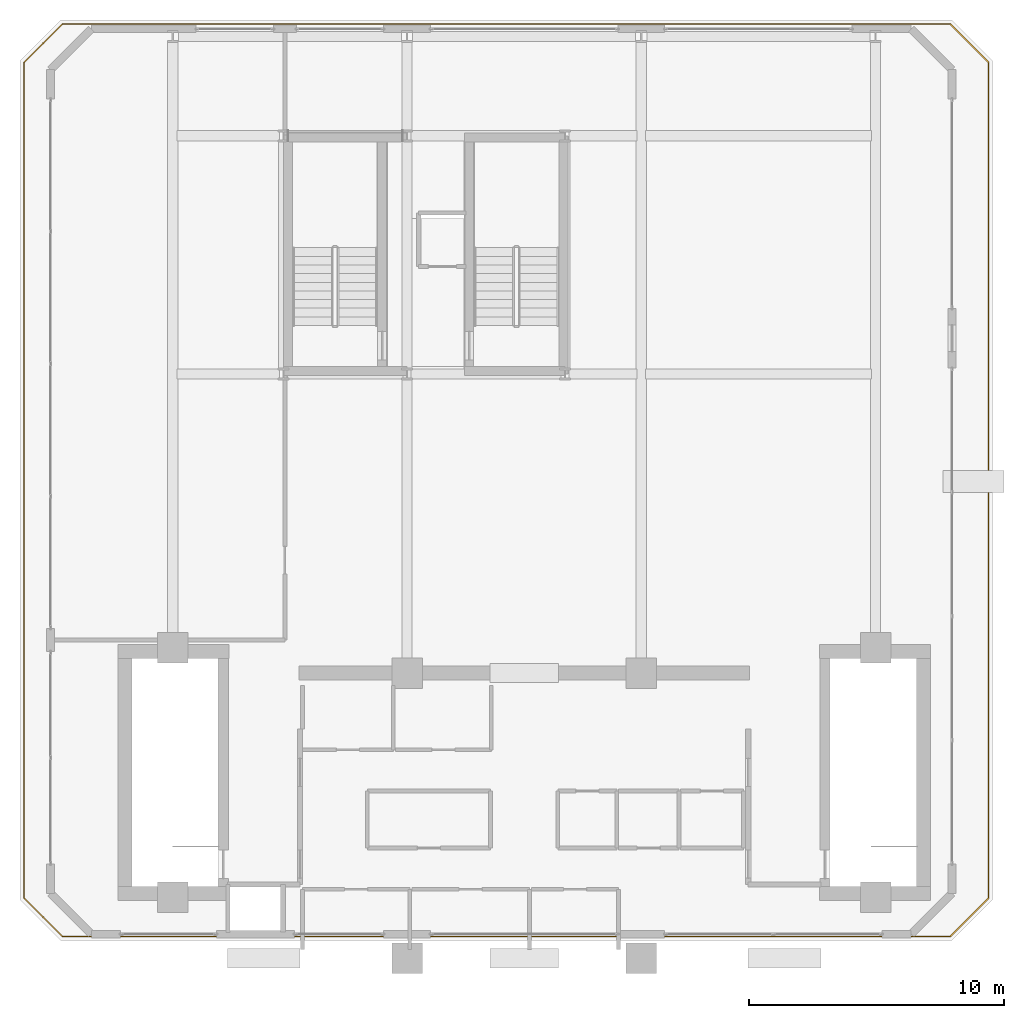
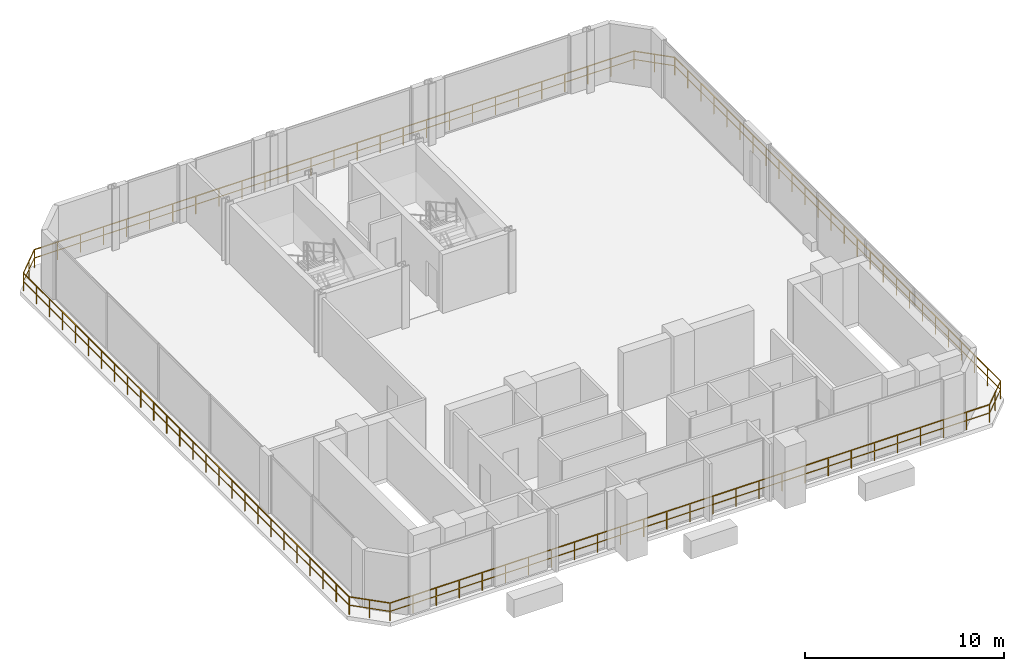
# One storey, part 25 of 26: 2 railings.
"""IFC4 building model written with IfcOpenShell, lengths in metres."""

import ifcopenshell
import ifcopenshell.guid

model = None  # the IFC model being written
_history = None  # IfcOwnerHistory: only IFC2X3 demands one
_inside = {}  # id of a spatial element -> (the spatial element, [elements in it])
_under = {}  # id of a project, library or spatial element -> (it, [spatial elements below it])
_declared = {}  # id of a project -> (the project, [libraries it declares])
_typed = {}  # id of a type object -> (the type object, [elements of that type])
_made_of = {}  # id of a material, layer set ... -> (it, [elements and type objects made of it])


def new_model(schema):
    """Start an empty IFC model of exactly this schema.

    Asked for "IFC4X3", IfcOpenShell would pick the latest addendum, in which some entities
    have other attributes; the version numbers below select the first issue.
    IFC2X3 requires an IfcOwnerHistory on every rooted entity: one is made here for all.
    """
    global model, _history
    if schema == "IFC4X3":
        model = ifcopenshell.file(schema_version=(4, 3, 0, 0))
    else:
        model = ifcopenshell.file(schema=schema)
    _inside.clear()
    _under.clear()
    _declared.clear()
    _typed.clear()
    _made_of.clear()
    _history = None
    if model.schema == "IFC2X3":
        org = make("IfcOrganization", Name="unknown")
        user = make(
            "IfcPersonAndOrganization",
            ThePerson=make("IfcPerson", FamilyName="unknown"),
            TheOrganization=org,
        )
        app = make(
            "IfcApplication",
            ApplicationDeveloper=org,
            Version="unknown",
            ApplicationFullName="unknown",
            ApplicationIdentifier="unknown",
        )
        _history = make(
            "IfcOwnerHistory",
            OwningUser=user,
            OwningApplication=app,
            ChangeAction="ADDED",
            CreationDate=0,
        )
    return model


def make(cls, **values):
    """One entity of the class cls with the attributes given. An attribute that is None is left unset."""
    return model.create_entity(
        cls, **{name: value for name, value in values.items() if value is not None}
    )


def rooted(cls, **values):
    """An entity with a GlobalId (a new one), such as an element, a storey or a relation."""
    return make(cls, GlobalId=ifcopenshell.guid.new(), OwnerHistory=_history, **values)


def si_unit(unit_type, name, prefix=None):
    """IfcSIUnit, for example si_unit("LENGTHUNIT", "METRE", prefix="MILLI")."""
    return make("IfcSIUnit", UnitType=unit_type, Prefix=prefix, Name=name)


def assignment(units):
    """IfcUnitAssignment: the units of a project."""
    return None if units is None else make("IfcUnitAssignment", Units=units)


def point(xyz):
    """IfcCartesianPoint."""
    return None if xyz is None else make("IfcCartesianPoint", Coordinates=xyz)


def direction(xyz):
    """IfcDirection."""
    return None if xyz is None else make("IfcDirection", DirectionRatios=xyz)


def frame(location, z_axis=None, x_axis=None):
    """IfcAxis2Placement3D, a coordinate frame: its origin and axes. An axis left out is left unset."""
    return make(
        "IfcAxis2Placement3D",
        Location=point(location),
        Axis=direction(z_axis),
        RefDirection=direction(x_axis),
    )


def frame_2d(location, x_axis=None):
    """IfcAxis2Placement2D, a coordinate frame in the plane: its origin and x axis."""
    return make(
        "IfcAxis2Placement2D", Location=point(location), RefDirection=direction(x_axis)
    )


def origin():
    """The frame at (0, 0, 0) with its axes left unset."""
    return frame((0.0, 0.0, 0.0))


def origin_2d():
    """The frame at (0, 0) in the plane with its x axis left unset."""
    return frame_2d((0.0, 0.0))


def place(relative_to, where):
    """IfcLocalPlacement: puts the frame where relative to a parent placement (None: the world)."""
    return make(
        "IfcLocalPlacement", PlacementRelTo=relative_to, RelativePlacement=where
    )


def context(
    kind, dimensions, precision=None, world=None, true_north=None, identifier=None
):
    """IfcGeometricRepresentationContext, for example the 3D "Model" context."""
    return make(
        "IfcGeometricRepresentationContext",
        ContextIdentifier=identifier,
        ContextType=kind,
        CoordinateSpaceDimension=dimensions,
        Precision=precision,
        WorldCoordinateSystem=world,
        TrueNorth=true_north,
    )


def subcontext(parent, identifier, kind, view, scale=None):
    """IfcGeometricRepresentationSubContext, for example "Body" below "Model"."""
    return make(
        "IfcGeometricRepresentationSubContext",
        ContextIdentifier=identifier,
        ContextType=kind,
        ParentContext=parent,
        TargetScale=scale,
        TargetView=view,
    )


def project(units=None, contexts=None):
    """IfcProject with its units and contexts."""
    return rooted(
        "IfcProject",
        Name="project",
        RepresentationContexts=contexts,
        UnitsInContext=assignment(units),
    )


def spatial(cls, under=None, at=None, **own):
    """A site, building, storey or space (cls), placed at a placement, below another one or the project."""
    s = rooted(cls, ObjectPlacement=at, **own)
    if under is not None:
        _under.setdefault(under.id(), (under, []))[1].append(s)
    return s


def profile(cls, at=None, kind="AREA", **sizes):
    """A parametric profile (cls). Its sizes go by their IFC names, for example OverallWidth=200.0."""
    return make(cls, ProfileType=kind, Position=at, **sizes)


def rectangle(**sizes):
    """IfcRectangleProfileDef."""
    return profile("IfcRectangleProfileDef", **sizes)


def extrude(swept, where, along, depth):
    """IfcExtrudedAreaSolid: the profile swept, set in the frame where, extruded along a direction by depth."""
    return make(
        "IfcExtrudedAreaSolid",
        SweptArea=swept,
        Position=where,
        ExtrudedDirection=direction(along),
        Depth=depth,
    )


def shape(context_of_items, identifier, shape_type, items):
    """IfcShapeRepresentation: the items that make up one representation, for example the "Body"."""
    return make(
        "IfcShapeRepresentation",
        ContextOfItems=context_of_items,
        RepresentationIdentifier=identifier,
        RepresentationType=shape_type,
        Items=items,
    )


def material(Name=None, Category=None):
    """IfcMaterial."""
    return make("IfcMaterial", Name=Name, Category=Category)


def made_of(thing, what):
    """Note that an element or type object is made of a material, layer set ...; save() writes the relation."""
    if what is not None:
        _made_of.setdefault(what.id(), (what, []))[1].append(thing)
    return thing


def type_object(cls, material=None, **own):
    """A type object (cls), such as IfcWallType, which elements share."""
    return made_of(rooted(cls, **own), material)


def element(
    cls,
    number,
    at=None,
    inside=None,
    cuts=None,
    type_object=None,
    material=None,
    context=None,
    identifier="Body",
    shape_type=None,
    held_by="IfcProductDefinitionShape",
    body=None,
    shapes=None,
    **own,
):
    """One element of the class cls, such as IfcWall. Its Tag is "e" and its number.

    at: its placement. inside: the storey or other place that contains it. cuts: it is an
    opening in that element (IfcRelVoidsElement). A single representation is given by context,
    identifier, shape_type and body (its items); several are given by shapes. held_by: the class
    of the entity that holds the representations. save() writes the other relations.
    """
    e = rooted(cls, Tag="e%d" % number, ObjectPlacement=at, **own)
    if body is not None:
        shapes = [shape(context, identifier, shape_type, body)]
    if shapes is not None:
        e.Representation = make(held_by, Representations=shapes)
    if inside is not None:
        _inside.setdefault(inside.id(), (inside, []))[1].append(e)
    if cuts is not None:
        rooted(
            "IfcRelVoidsElement", RelatingBuildingElement=cuts, RelatedOpeningElement=e
        )
    if type_object is not None:
        _typed.setdefault(type_object.id(), (type_object, []))[1].append(e)
    return made_of(e, material)


def aggregate(whole, parts):
    """IfcRelAggregates: a whole, such as a stair, and the parts it consists of."""
    return rooted("IfcRelAggregates", RelatingObject=whole, RelatedObjects=parts)


def save(model, path):
    """Write the relations noted so far, then the file.

    IfcRelAggregates (storeys below a building ...), IfcRelContainedInSpatialStructure (elements
    in a storey), IfcRelDefinesByType, IfcRelAssociatesMaterial and IfcRelDeclares: one each for
    every whole, place, type object, material and project.
    """
    for whole, parts in _under.values():
        aggregate(whole, parts)
    for where, things in _inside.values():
        rooted(
            "IfcRelContainedInSpatialStructure",
            RelatedElements=things,
            RelatingStructure=where,
        )
    for kind, things in _typed.values():
        rooted("IfcRelDefinesByType", RelatedObjects=things, RelatingType=kind)
    for what, things in _made_of.values():
        rooted("IfcRelAssociatesMaterial", RelatedObjects=things, RelatingMaterial=what)
    for by, libraries in _declared.values():
        rooted("IfcRelDeclares", RelatingContext=by, RelatedDefinitions=libraries)
    model.write(path)


model = new_model("IFC4")

# Units and contexts
model_context = context("Model", 3, precision=1e-05, world=origin(), true_north=direction((0.0, 1.0)))
body_context = subcontext(model_context, "Body", "Model", "MODEL_VIEW")
ifc_project = project(units=[si_unit("LENGTHUNIT", "METRE"), si_unit("AREAUNIT", "SQUARE_METRE"), si_unit("VOLUMEUNIT", "CUBIC_METRE"), si_unit("PLANEANGLEUNIT", "RADIAN"), si_unit("MASSUNIT", "GRAM", prefix="KILO")], contexts=[model_context])

# Site, building, storey
site_placement = place(None, origin())
site = spatial("IfcSite", under=ifc_project, at=site_placement, CompositionType="ELEMENT")
building_placement = place(site_placement, origin())
building = spatial("IfcBuilding", under=site, at=building_placement, Name="Zuhayl Quay Hotel", CompositionType="ELEMENT")
storey_placement = place(building_placement, frame((0.0, 0.0, 301.050048828125)))
storey = spatial("IfcBuildingStorey", under=building, at=storey_placement, Name="Crown 2", CompositionType="ELEMENT", Elevation=301.050048828125)

# Railings
ifc_material = material(Name="Anodised Aluminium and Laminated Glass", Category="aluminium")
railing_type = type_object("IfcRailingType", Name="RL_EXT_BAL_1100", PredefinedType="BALUSTRADE", material=ifc_material)
railing_1_placement = place(storey_placement, frame((-18.1337890625, 3.010009765625, 0.0)))
element("IfcRailing", 1, at=railing_1_placement, inside=storey, type_object=railing_type, Name="Crown 2 Balcony and Terrace Guard GR_CROWN_2_1A", PredefinedType="BALUSTRADE", context=body_context, shape_type="SweptSolid", body=[
    extrude(rectangle(XDim=0.048095703125, YDim=0.048095703125, at=origin_2d()), frame((0.0, 0.0, 1.09619140625), z_axis=(-0.707049472212, 0.707164085516, 0.0), x_axis=(-0.707164085516, -0.707049472212, 0.0)), (0.0, 0.0, 1.0), 2.130126953125),
    extrude(rectangle(XDim=0.0361328125, YDim=0.0361328125, at=origin_2d()), frame((0.0, 0.0, 0.58251953125), z_axis=(-0.707049472212, 0.707164085516, 0.0), x_axis=(-0.707164085516, -0.707049472212, 0.0)), (0.0, 0.0, 1.0), 2.130126953125),
    extrude(rectangle(XDim=0.048095703125, YDim=0.048095703125, at=origin_2d()), frame((-1.506103515625, 1.50634765625, 1.09619140625), z_axis=(0.0, 1.0, 0.0), x_axis=(-1.0, 0.0, 0.0)), (0.0, 0.0, 1.0), 32.8173828125),
    extrude(rectangle(XDim=0.0361328125, YDim=0.0361328125, at=origin_2d()), frame((-1.506103515625, 1.50634765625, 0.58251953125), z_axis=(0.0, 1.0, 0.0), x_axis=(-1.0, 0.0, 0.0)), (0.0, 0.0, 1.0), 32.8173828125),
    extrude(rectangle(XDim=0.048095703125, YDim=0.048095703125, at=origin_2d()), frame((-1.506103515625, 34.32373046875, 1.09619140625), z_axis=(0.707049472212, 0.707164085516, 0.0), x_axis=(-0.707164085516, 0.707049472212, 0.0)), (0.0, 0.0, 1.0), 2.130126953125),
    extrude(rectangle(XDim=0.0361328125, YDim=0.0361328125, at=origin_2d()), frame((-1.506103515625, 34.32373046875, 0.58251953125), z_axis=(0.707049472212, 0.707164085516, 0.0), x_axis=(-0.707164085516, 0.707049472212, 0.0)), (0.0, 0.0, 1.0), 2.130126953125),
    extrude(rectangle(XDim=0.048095703125, YDim=0.048095703125, at=origin_2d()), frame((0.0, 35.830078125, 1.09619140625), z_axis=(1.0, 0.0, 0.0), x_axis=(0.0, 1.0, 0.0)), (0.0, 0.0, 1.0), 34.867431640625),
    extrude(rectangle(XDim=0.0361328125, YDim=0.0361328125, at=origin_2d()), frame((0.0, 35.830078125, 0.58251953125), z_axis=(1.0, 0.0, 0.0), x_axis=(0.0, 1.0, 0.0)), (0.0, 0.0, 1.0), 34.867431640625),
    extrude(rectangle(XDim=0.0419921875, YDim=0.0419921875, at=origin_2d()), origin(), (0.0, 0.0, 1.0), 1.072021484375),
    extrude(rectangle(XDim=0.0419921875, YDim=0.0419921875, at=origin_2d()), frame((-0.7529296875, 0.753173828125, 0.0)), (0.0, 0.0, 1.0), 1.072021484375),
    extrude(rectangle(XDim=0.0419921875, YDim=0.0419921875, at=origin_2d()), frame((-1.506103515625, 1.50634765625, 0.0)), (0.0, 0.0, 1.0), 1.072021484375),
    extrude(rectangle(XDim=0.0419921875, YDim=0.0419921875, at=origin_2d()), frame((-1.506103515625, 2.819091796875, 0.0)), (0.0, 0.0, 1.0), 1.072021484375),
    extrude(rectangle(XDim=0.0419921875, YDim=0.0419921875, at=origin_2d()), frame((-1.506103515625, 4.1318359375, 0.0)), (0.0, 0.0, 1.0), 1.072021484375),
    extrude(rectangle(XDim=0.0419921875, YDim=0.0419921875, at=origin_2d()), frame((-1.506103515625, 5.4443359375, 0.0)), (0.0, 0.0, 1.0), 1.072021484375),
    extrude(rectangle(XDim=0.0419921875, YDim=0.0419921875, at=origin_2d()), frame((-1.506103515625, 6.757080078125, 0.0)), (0.0, 0.0, 1.0), 1.072021484375),
    extrude(rectangle(XDim=0.0419921875, YDim=0.0419921875, at=origin_2d()), frame((-1.506103515625, 8.06982421875, 0.0)), (0.0, 0.0, 1.0), 1.072021484375),
    extrude(rectangle(XDim=0.0419921875, YDim=0.0419921875, at=origin_2d()), frame((-1.506103515625, 9.382568359375, 0.0)), (0.0, 0.0, 1.0), 1.072021484375),
    extrude(rectangle(XDim=0.0419921875, YDim=0.0419921875, at=origin_2d()), frame((-1.506103515625, 10.6953125, 0.0)), (0.0, 0.0, 1.0), 1.072021484375),
    extrude(rectangle(XDim=0.0419921875, YDim=0.0419921875, at=origin_2d()), frame((-1.506103515625, 12.0078125, 0.0)), (0.0, 0.0, 1.0), 1.072021484375),
    extrude(rectangle(XDim=0.0419921875, YDim=0.0419921875, at=origin_2d()), frame((-1.506103515625, 13.320556640625, 0.0)), (0.0, 0.0, 1.0), 1.072021484375),
    extrude(rectangle(XDim=0.0419921875, YDim=0.0419921875, at=origin_2d()), frame((-1.506103515625, 14.63330078125, 0.0)), (0.0, 0.0, 1.0), 1.072021484375),
    extrude(rectangle(XDim=0.0419921875, YDim=0.0419921875, at=origin_2d()), frame((-1.506103515625, 15.946044921875, 0.0)), (0.0, 0.0, 1.0), 1.072021484375),
    extrude(rectangle(XDim=0.0419921875, YDim=0.0419921875, at=origin_2d()), frame((-1.506103515625, 17.2587890625, 0.0)), (0.0, 0.0, 1.0), 1.072021484375),
    extrude(rectangle(XDim=0.0419921875, YDim=0.0419921875, at=origin_2d()), frame((-1.506103515625, 18.5712890625, 0.0)), (0.0, 0.0, 1.0), 1.072021484375),
    extrude(rectangle(XDim=0.0419921875, YDim=0.0419921875, at=origin_2d()), frame((-1.506103515625, 19.884033203125, 0.0)), (0.0, 0.0, 1.0), 1.072021484375),
    extrude(rectangle(XDim=0.0419921875, YDim=0.0419921875, at=origin_2d()), frame((-1.506103515625, 21.19677734375, 0.0)), (0.0, 0.0, 1.0), 1.072021484375),
    extrude(rectangle(XDim=0.0419921875, YDim=0.0419921875, at=origin_2d()), frame((-1.506103515625, 22.509521484375, 0.0)), (0.0, 0.0, 1.0), 1.072021484375),
    extrude(rectangle(XDim=0.0419921875, YDim=0.0419921875, at=origin_2d()), frame((-1.506103515625, 23.822265625, 0.0)), (0.0, 0.0, 1.0), 1.072021484375),
    extrude(rectangle(XDim=0.0419921875, YDim=0.0419921875, at=origin_2d()), frame((-1.506103515625, 25.134765625, 0.0)), (0.0, 0.0, 1.0), 1.072021484375),
    extrude(rectangle(XDim=0.0419921875, YDim=0.0419921875, at=origin_2d()), frame((-1.506103515625, 26.447509765625, 0.0)), (0.0, 0.0, 1.0), 1.072021484375),
    extrude(rectangle(XDim=0.0419921875, YDim=0.0419921875, at=origin_2d()), frame((-1.506103515625, 27.76025390625, 0.0)), (0.0, 0.0, 1.0), 1.072021484375),
    extrude(rectangle(XDim=0.0419921875, YDim=0.0419921875, at=origin_2d()), frame((-1.506103515625, 29.072998046875, 0.0)), (0.0, 0.0, 1.0), 1.072021484375),
    extrude(rectangle(XDim=0.0419921875, YDim=0.0419921875, at=origin_2d()), frame((-1.506103515625, 30.3857421875, 0.0)), (0.0, 0.0, 1.0), 1.072021484375),
    extrude(rectangle(XDim=0.0419921875, YDim=0.0419921875, at=origin_2d()), frame((-1.506103515625, 31.6982421875, 0.0)), (0.0, 0.0, 1.0), 1.072021484375),
    extrude(rectangle(XDim=0.0419921875, YDim=0.0419921875, at=origin_2d()), frame((-1.506103515625, 33.010986328125, 0.0)), (0.0, 0.0, 1.0), 1.072021484375),
    extrude(rectangle(XDim=0.0419921875, YDim=0.0419921875, at=origin_2d()), frame((-1.506103515625, 34.32373046875, 0.0)), (0.0, 0.0, 1.0), 1.072021484375),
    extrude(rectangle(XDim=0.0419921875, YDim=0.0419921875, at=origin_2d()), frame((-0.7529296875, 35.076904296875, 0.0)), (0.0, 0.0, 1.0), 1.072021484375),
    extrude(rectangle(XDim=0.0419921875, YDim=0.0419921875, at=origin_2d()), frame((0.0, 35.830078125, 0.0)), (0.0, 0.0, 1.0), 1.072021484375),
    extrude(rectangle(XDim=0.0419921875, YDim=0.0419921875, at=origin_2d()), frame((1.341064453125, 35.830078125, 0.0)), (0.0, 0.0, 1.0), 1.072021484375),
    extrude(rectangle(XDim=0.0419921875, YDim=0.0419921875, at=origin_2d()), frame((2.68212890625, 35.830078125, 0.0)), (0.0, 0.0, 1.0), 1.072021484375),
    extrude(rectangle(XDim=0.0419921875, YDim=0.0419921875, at=origin_2d()), frame((4.023193359375, 35.830078125, 0.0)), (0.0, 0.0, 1.0), 1.072021484375),
    extrude(rectangle(XDim=0.0419921875, YDim=0.0419921875, at=origin_2d()), frame((5.3642578125, 35.830078125, 0.0)), (0.0, 0.0, 1.0), 1.072021484375),
    extrude(rectangle(XDim=0.0419921875, YDim=0.0419921875, at=origin_2d()), frame((6.705322265625, 35.830078125, 0.0)), (0.0, 0.0, 1.0), 1.072021484375),
    extrude(rectangle(XDim=0.0419921875, YDim=0.0419921875, at=origin_2d()), frame((8.04638671875, 35.830078125, 0.0)), (0.0, 0.0, 1.0), 1.072021484375),
    extrude(rectangle(XDim=0.0419921875, YDim=0.0419921875, at=origin_2d()), frame((9.387451171875, 35.830078125, 0.0)), (0.0, 0.0, 1.0), 1.072021484375),
    extrude(rectangle(XDim=0.0419921875, YDim=0.0419921875, at=origin_2d()), frame((10.728515625, 35.830078125, 0.0)), (0.0, 0.0, 1.0), 1.072021484375),
    extrude(rectangle(XDim=0.0419921875, YDim=0.0419921875, at=origin_2d()), frame((12.069580078125, 35.830078125, 0.0)), (0.0, 0.0, 1.0), 1.072021484375),
    extrude(rectangle(XDim=0.0419921875, YDim=0.0419921875, at=origin_2d()), frame((13.41064453125, 35.830078125, 0.0)), (0.0, 0.0, 1.0), 1.072021484375),
    extrude(rectangle(XDim=0.0419921875, YDim=0.0419921875, at=origin_2d()), frame((14.751708984375, 35.830078125, 0.0)), (0.0, 0.0, 1.0), 1.072021484375),
    extrude(rectangle(XDim=0.0419921875, YDim=0.0419921875, at=origin_2d()), frame((16.0927734375, 35.830078125, 0.0)), (0.0, 0.0, 1.0), 1.072021484375),
    extrude(rectangle(XDim=0.0419921875, YDim=0.0419921875, at=origin_2d()), frame((17.43359375, 35.830078125, 0.0)), (0.0, 0.0, 1.0), 1.072021484375),
    extrude(rectangle(XDim=0.0419921875, YDim=0.0419921875, at=origin_2d()), frame((18.774658203125, 35.830078125, 0.0)), (0.0, 0.0, 1.0), 1.072021484375),
    extrude(rectangle(XDim=0.0419921875, YDim=0.0419921875, at=origin_2d()), frame((20.11572265625, 35.830078125, 0.0)), (0.0, 0.0, 1.0), 1.072021484375),
    extrude(rectangle(XDim=0.0419921875, YDim=0.0419921875, at=origin_2d()), frame((21.456787109375, 35.830078125, 0.0)), (0.0, 0.0, 1.0), 1.072021484375),
    extrude(rectangle(XDim=0.0419921875, YDim=0.0419921875, at=origin_2d()), frame((22.7978515625, 35.830078125, 0.0)), (0.0, 0.0, 1.0), 1.072021484375),
    extrude(rectangle(XDim=0.0419921875, YDim=0.0419921875, at=origin_2d()), frame((24.138916015625, 35.830078125, 0.0)), (0.0, 0.0, 1.0), 1.072021484375),
    extrude(rectangle(XDim=0.0419921875, YDim=0.0419921875, at=origin_2d()), frame((25.47998046875, 35.830078125, 0.0)), (0.0, 0.0, 1.0), 1.072021484375),
    extrude(rectangle(XDim=0.0419921875, YDim=0.0419921875, at=origin_2d()), frame((26.821044921875, 35.830078125, 0.0)), (0.0, 0.0, 1.0), 1.072021484375),
    extrude(rectangle(XDim=0.0419921875, YDim=0.0419921875, at=origin_2d()), frame((28.162109375, 35.830078125, 0.0)), (0.0, 0.0, 1.0), 1.072021484375),
    extrude(rectangle(XDim=0.0419921875, YDim=0.0419921875, at=origin_2d()), frame((29.503173828125, 35.830078125, 0.0)), (0.0, 0.0, 1.0), 1.072021484375),
    extrude(rectangle(XDim=0.0419921875, YDim=0.0419921875, at=origin_2d()), frame((30.84423828125, 35.830078125, 0.0)), (0.0, 0.0, 1.0), 1.072021484375),
    extrude(rectangle(XDim=0.0419921875, YDim=0.0419921875, at=origin_2d()), frame((32.185302734375, 35.830078125, 0.0)), (0.0, 0.0, 1.0), 1.072021484375),
    extrude(rectangle(XDim=0.0419921875, YDim=0.0419921875, at=origin_2d()), frame((33.5263671875, 35.830078125, 0.0)), (0.0, 0.0, 1.0), 1.072021484375),
    extrude(rectangle(XDim=0.0419921875, YDim=0.0419921875, at=origin_2d()), frame((34.867431640625, 35.830078125, 0.0)), (0.0, 0.0, 1.0), 1.072021484375),
])
railing_2_placement = place(storey_placement, frame((16.733642578125, 38.840087890625, 0.0)))
element("IfcRailing", 2, at=railing_2_placement, inside=storey, type_object=railing_type, Name="Crown 2 Balcony and Terrace Guard GR_CROWN_2_1B", PredefinedType="BALUSTRADE", context=body_context, shape_type="SweptSolid", body=[
    extrude(rectangle(XDim=0.048095703125, YDim=0.048095703125, at=origin_2d()), frame((0.0, 0.0, 1.09619140625), z_axis=(0.707106781187, -0.707106781187, 0.0), x_axis=(0.707106781187, 0.707106781187, 0.0)), (0.0, 0.0, 1.0), 2.13037109375),
    extrude(rectangle(XDim=0.0361328125, YDim=0.0361328125, at=origin_2d()), frame((0.0, 0.0, 0.58251953125), z_axis=(0.707106781187, -0.707106781187, 0.0), x_axis=(0.707106781187, 0.707106781187, 0.0)), (0.0, 0.0, 1.0), 2.13037109375),
    extrude(rectangle(XDim=0.048095703125, YDim=0.048095703125, at=origin_2d()), frame((1.50634765625, -1.50634765625, 1.09619140625), z_axis=(0.0, -1.0, 0.0), x_axis=(1.0, 0.0, 0.0)), (0.0, 0.0, 1.0), 32.8173828125),
    extrude(rectangle(XDim=0.0361328125, YDim=0.0361328125, at=origin_2d()), frame((1.50634765625, -1.50634765625, 0.58251953125), z_axis=(0.0, -1.0, 0.0), x_axis=(1.0, 0.0, 0.0)), (0.0, 0.0, 1.0), 32.8173828125),
    extrude(rectangle(XDim=0.048095703125, YDim=0.048095703125, at=origin_2d()), frame((1.50634765625, -34.32373046875, 1.09619140625), z_axis=(-0.707106781187, -0.707106781187, 0.0), x_axis=(0.707106781187, -0.707106781187, 0.0)), (0.0, 0.0, 1.0), 2.13037109375),
    extrude(rectangle(XDim=0.0361328125, YDim=0.0361328125, at=origin_2d()), frame((1.50634765625, -34.32373046875, 0.58251953125), z_axis=(-0.707106781187, -0.707106781187, 0.0), x_axis=(0.707106781187, -0.707106781187, 0.0)), (0.0, 0.0, 1.0), 2.13037109375),
    extrude(rectangle(XDim=0.048095703125, YDim=0.048095703125, at=origin_2d()), frame((0.0, -35.830078125, 1.09619140625), z_axis=(-1.0, 0.0, 0.0), x_axis=(0.0, -1.0, 0.0)), (0.0, 0.0, 1.0), 34.867431640625),
    extrude(rectangle(XDim=0.0361328125, YDim=0.0361328125, at=origin_2d()), frame((0.0, -35.830078125, 0.58251953125), z_axis=(-1.0, 0.0, 0.0), x_axis=(0.0, -1.0, 0.0)), (0.0, 0.0, 1.0), 34.867431640625),
    extrude(rectangle(XDim=0.0419921875, YDim=0.0419921875, at=origin_2d()), origin(), (0.0, 0.0, 1.0), 1.072021484375),
    extrude(rectangle(XDim=0.0419921875, YDim=0.0419921875, at=origin_2d()), frame((0.753173828125, -0.753173828125, 0.0)), (0.0, 0.0, 1.0), 1.072021484375),
    extrude(rectangle(XDim=0.0419921875, YDim=0.0419921875, at=origin_2d()), frame((1.50634765625, -1.50634765625, 0.0)), (0.0, 0.0, 1.0), 1.072021484375),
    extrude(rectangle(XDim=0.0419921875, YDim=0.0419921875, at=origin_2d()), frame((1.50634765625, -2.819091796875, 0.0)), (0.0, 0.0, 1.0), 1.072021484375),
    extrude(rectangle(XDim=0.0419921875, YDim=0.0419921875, at=origin_2d()), frame((1.50634765625, -4.1318359375, 0.0)), (0.0, 0.0, 1.0), 1.072021484375),
    extrude(rectangle(XDim=0.0419921875, YDim=0.0419921875, at=origin_2d()), frame((1.50634765625, -5.4443359375, 0.0)), (0.0, 0.0, 1.0), 1.072021484375),
    extrude(rectangle(XDim=0.0419921875, YDim=0.0419921875, at=origin_2d()), frame((1.50634765625, -6.757080078125, 0.0)), (0.0, 0.0, 1.0), 1.072021484375),
    extrude(rectangle(XDim=0.0419921875, YDim=0.0419921875, at=origin_2d()), frame((1.50634765625, -8.06982421875, 0.0)), (0.0, 0.0, 1.0), 1.072021484375),
    extrude(rectangle(XDim=0.0419921875, YDim=0.0419921875, at=origin_2d()), frame((1.50634765625, -9.382568359375, 0.0)), (0.0, 0.0, 1.0), 1.072021484375),
    extrude(rectangle(XDim=0.0419921875, YDim=0.0419921875, at=origin_2d()), frame((1.50634765625, -10.6953125, 0.0)), (0.0, 0.0, 1.0), 1.072021484375),
    extrude(rectangle(XDim=0.0419921875, YDim=0.0419921875, at=origin_2d()), frame((1.50634765625, -12.0078125, 0.0)), (0.0, 0.0, 1.0), 1.072021484375),
    extrude(rectangle(XDim=0.0419921875, YDim=0.0419921875, at=origin_2d()), frame((1.50634765625, -13.320556640625, 0.0)), (0.0, 0.0, 1.0), 1.072021484375),
    extrude(rectangle(XDim=0.0419921875, YDim=0.0419921875, at=origin_2d()), frame((1.50634765625, -14.63330078125, 0.0)), (0.0, 0.0, 1.0), 1.072021484375),
    extrude(rectangle(XDim=0.0419921875, YDim=0.0419921875, at=origin_2d()), frame((1.50634765625, -15.946044921875, 0.0)), (0.0, 0.0, 1.0), 1.072021484375),
    extrude(rectangle(XDim=0.0419921875, YDim=0.0419921875, at=origin_2d()), frame((1.50634765625, -17.2587890625, 0.0)), (0.0, 0.0, 1.0), 1.072021484375),
    extrude(rectangle(XDim=0.0419921875, YDim=0.0419921875, at=origin_2d()), frame((1.50634765625, -18.5712890625, 0.0)), (0.0, 0.0, 1.0), 1.072021484375),
    extrude(rectangle(XDim=0.0419921875, YDim=0.0419921875, at=origin_2d()), frame((1.50634765625, -19.884033203125, 0.0)), (0.0, 0.0, 1.0), 1.072021484375),
    extrude(rectangle(XDim=0.0419921875, YDim=0.0419921875, at=origin_2d()), frame((1.50634765625, -21.19677734375, 0.0)), (0.0, 0.0, 1.0), 1.072021484375),
    extrude(rectangle(XDim=0.0419921875, YDim=0.0419921875, at=origin_2d()), frame((1.50634765625, -22.509521484375, 0.0)), (0.0, 0.0, 1.0), 1.072021484375),
    extrude(rectangle(XDim=0.0419921875, YDim=0.0419921875, at=origin_2d()), frame((1.50634765625, -23.822265625, 0.0)), (0.0, 0.0, 1.0), 1.072021484375),
    extrude(rectangle(XDim=0.0419921875, YDim=0.0419921875, at=origin_2d()), frame((1.50634765625, -25.134765625, 0.0)), (0.0, 0.0, 1.0), 1.072021484375),
    extrude(rectangle(XDim=0.0419921875, YDim=0.0419921875, at=origin_2d()), frame((1.50634765625, -26.447509765625, 0.0)), (0.0, 0.0, 1.0), 1.072021484375),
    extrude(rectangle(XDim=0.0419921875, YDim=0.0419921875, at=origin_2d()), frame((1.50634765625, -27.76025390625, 0.0)), (0.0, 0.0, 1.0), 1.072021484375),
    extrude(rectangle(XDim=0.0419921875, YDim=0.0419921875, at=origin_2d()), frame((1.50634765625, -29.072998046875, 0.0)), (0.0, 0.0, 1.0), 1.072021484375),
    extrude(rectangle(XDim=0.0419921875, YDim=0.0419921875, at=origin_2d()), frame((1.50634765625, -30.3857421875, 0.0)), (0.0, 0.0, 1.0), 1.072021484375),
    extrude(rectangle(XDim=0.0419921875, YDim=0.0419921875, at=origin_2d()), frame((1.50634765625, -31.6982421875, 0.0)), (0.0, 0.0, 1.0), 1.072021484375),
    extrude(rectangle(XDim=0.0419921875, YDim=0.0419921875, at=origin_2d()), frame((1.50634765625, -33.010986328125, 0.0)), (0.0, 0.0, 1.0), 1.072021484375),
    extrude(rectangle(XDim=0.0419921875, YDim=0.0419921875, at=origin_2d()), frame((1.50634765625, -34.32373046875, 0.0)), (0.0, 0.0, 1.0), 1.072021484375),
    extrude(rectangle(XDim=0.0419921875, YDim=0.0419921875, at=origin_2d()), frame((0.753173828125, -35.076904296875, 0.0)), (0.0, 0.0, 1.0), 1.072021484375),
    extrude(rectangle(XDim=0.0419921875, YDim=0.0419921875, at=origin_2d()), frame((0.0, -35.830078125, 0.0)), (0.0, 0.0, 1.0), 1.072021484375),
    extrude(rectangle(XDim=0.0419921875, YDim=0.0419921875, at=origin_2d()), frame((-1.341064453125, -35.830078125, 0.0)), (0.0, 0.0, 1.0), 1.072021484375),
    extrude(rectangle(XDim=0.0419921875, YDim=0.0419921875, at=origin_2d()), frame((-2.68212890625, -35.830078125, 0.0)), (0.0, 0.0, 1.0), 1.072021484375),
    extrude(rectangle(XDim=0.0419921875, YDim=0.0419921875, at=origin_2d()), frame((-4.023193359375, -35.830078125, 0.0)), (0.0, 0.0, 1.0), 1.072021484375),
    extrude(rectangle(XDim=0.0419921875, YDim=0.0419921875, at=origin_2d()), frame((-5.3642578125, -35.830078125, 0.0)), (0.0, 0.0, 1.0), 1.072021484375),
    extrude(rectangle(XDim=0.0419921875, YDim=0.0419921875, at=origin_2d()), frame((-6.705322265625, -35.830078125, 0.0)), (0.0, 0.0, 1.0), 1.072021484375),
    extrude(rectangle(XDim=0.0419921875, YDim=0.0419921875, at=origin_2d()), frame((-8.04638671875, -35.830078125, 0.0)), (0.0, 0.0, 1.0), 1.072021484375),
    extrude(rectangle(XDim=0.0419921875, YDim=0.0419921875, at=origin_2d()), frame((-9.387451171875, -35.830078125, 0.0)), (0.0, 0.0, 1.0), 1.072021484375),
    extrude(rectangle(XDim=0.0419921875, YDim=0.0419921875, at=origin_2d()), frame((-10.728515625, -35.830078125, 0.0)), (0.0, 0.0, 1.0), 1.072021484375),
    extrude(rectangle(XDim=0.0419921875, YDim=0.0419921875, at=origin_2d()), frame((-12.069580078125, -35.830078125, 0.0)), (0.0, 0.0, 1.0), 1.072021484375),
    extrude(rectangle(XDim=0.0419921875, YDim=0.0419921875, at=origin_2d()), frame((-13.41064453125, -35.830078125, 0.0)), (0.0, 0.0, 1.0), 1.072021484375),
    extrude(rectangle(XDim=0.0419921875, YDim=0.0419921875, at=origin_2d()), frame((-14.751708984375, -35.830078125, 0.0)), (0.0, 0.0, 1.0), 1.072021484375),
    extrude(rectangle(XDim=0.0419921875, YDim=0.0419921875, at=origin_2d()), frame((-16.0927734375, -35.830078125, 0.0)), (0.0, 0.0, 1.0), 1.072021484375),
    extrude(rectangle(XDim=0.0419921875, YDim=0.0419921875, at=origin_2d()), frame((-17.43359375, -35.830078125, 0.0)), (0.0, 0.0, 1.0), 1.072021484375),
    extrude(rectangle(XDim=0.0419921875, YDim=0.0419921875, at=origin_2d()), frame((-18.774658203125, -35.830078125, 0.0)), (0.0, 0.0, 1.0), 1.072021484375),
    extrude(rectangle(XDim=0.0419921875, YDim=0.0419921875, at=origin_2d()), frame((-20.11572265625, -35.830078125, 0.0)), (0.0, 0.0, 1.0), 1.072021484375),
    extrude(rectangle(XDim=0.0419921875, YDim=0.0419921875, at=origin_2d()), frame((-21.456787109375, -35.830078125, 0.0)), (0.0, 0.0, 1.0), 1.072021484375),
    extrude(rectangle(XDim=0.0419921875, YDim=0.0419921875, at=origin_2d()), frame((-22.7978515625, -35.830078125, 0.0)), (0.0, 0.0, 1.0), 1.072021484375),
    extrude(rectangle(XDim=0.0419921875, YDim=0.0419921875, at=origin_2d()), frame((-24.138916015625, -35.830078125, 0.0)), (0.0, 0.0, 1.0), 1.072021484375),
    extrude(rectangle(XDim=0.0419921875, YDim=0.0419921875, at=origin_2d()), frame((-25.47998046875, -35.830078125, 0.0)), (0.0, 0.0, 1.0), 1.072021484375),
    extrude(rectangle(XDim=0.0419921875, YDim=0.0419921875, at=origin_2d()), frame((-26.821044921875, -35.830078125, 0.0)), (0.0, 0.0, 1.0), 1.072021484375),
    extrude(rectangle(XDim=0.0419921875, YDim=0.0419921875, at=origin_2d()), frame((-28.162109375, -35.830078125, 0.0)), (0.0, 0.0, 1.0), 1.072021484375),
    extrude(rectangle(XDim=0.0419921875, YDim=0.0419921875, at=origin_2d()), frame((-29.503173828125, -35.830078125, 0.0)), (0.0, 0.0, 1.0), 1.072021484375),
    extrude(rectangle(XDim=0.0419921875, YDim=0.0419921875, at=origin_2d()), frame((-30.84423828125, -35.830078125, 0.0)), (0.0, 0.0, 1.0), 1.072021484375),
    extrude(rectangle(XDim=0.0419921875, YDim=0.0419921875, at=origin_2d()), frame((-32.185302734375, -35.830078125, 0.0)), (0.0, 0.0, 1.0), 1.072021484375),
    extrude(rectangle(XDim=0.0419921875, YDim=0.0419921875, at=origin_2d()), frame((-33.5263671875, -35.830078125, 0.0)), (0.0, 0.0, 1.0), 1.072021484375),
    extrude(rectangle(XDim=0.0419921875, YDim=0.0419921875, at=origin_2d()), frame((-34.867431640625, -35.830078125, 0.0)), (0.0, 0.0, 1.0), 1.072021484375),
])

save(model, "model.ifc")
